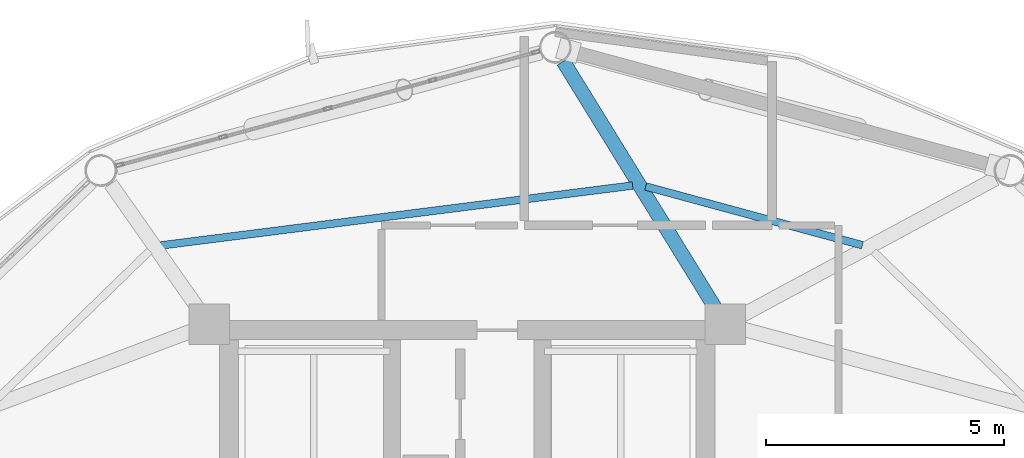
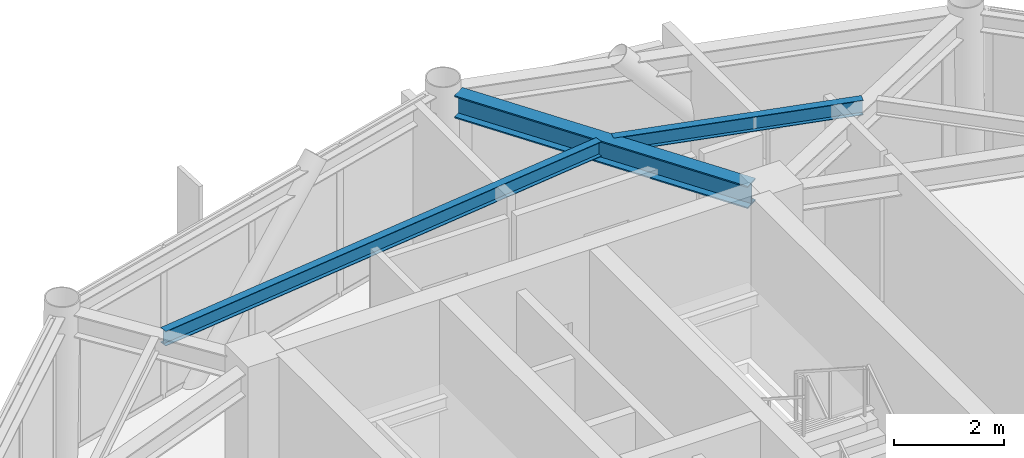
# One storey, part 19 of 28: 3 beams.
"""IFC4 building model written with IfcOpenShell, lengths in metres."""

from ifc_helpers import new_model, si_unit, direction, frame, origin, origin_2d, place, context, subcontext, project, spatial, i_section, extrude, material, material_profile, profile_set, type_object, element, save


model = new_model("IFC4")

# Units and contexts
model_context = context("Model", 3, precision=1e-05, world=origin(), true_north=direction((0.0, 1.0)))
body_context = subcontext(model_context, "Body", "Model", "MODEL_VIEW")
ifc_project = project(units=[si_unit("LENGTHUNIT", "METRE"), si_unit("AREAUNIT", "SQUARE_METRE"), si_unit("VOLUMEUNIT", "CUBIC_METRE"), si_unit("PLANEANGLEUNIT", "RADIAN"), si_unit("MASSUNIT", "GRAM", prefix="KILO")], contexts=[model_context])

# Site, building, storey
site_placement = place(None, origin())
site = spatial("IfcSite", under=ifc_project, at=site_placement, CompositionType="ELEMENT")
building_placement = place(site_placement, origin())
building = spatial("IfcBuilding", under=site, at=building_placement, Name="Varnakorn Sky Granary", CompositionType="ELEMENT")
storey_placement = place(building_placement, frame((0.0, 0.0, 207.60009765625)))
storey = spatial("IfcBuildingStorey", under=building, at=storey_placement, Name="L52", CompositionType="ELEMENT", Elevation=207.60009765625)

# Beams
ifc_material = material(Name="Steel S355JR", Category="steel")
ifc_material_profile_1 = material_profile(ifc_material, i_section(OverallWidth=0.300048828125, OverallDepth=0.5, WebThickness=0.014404296875, FlangeThickness=0.028076171875, at=origin_2d()), Name="HE 500 B")
ifc_profile_set_1 = profile_set([ifc_material_profile_1], Name="Steel S355JR")
beam_type_1 = type_object("IfcBeamType", Name="BM-RAD-Z4", PredefinedType="BEAM", material=ifc_profile_set_1)
beam_1_placement = place(storey_placement, frame((8.20751953125, 12.96484375, 3.10986328125), z_axis=(-0.524775778536, 0.851240496136, 0.0), x_axis=(-0.851240496136, -0.524775778536, 0.0)))
element("IfcBeam", 1, at=beam_1_placement, inside=storey, type_object=beam_type_1, Name="Radial Floor Girder RG04 L52", PredefinedType="BEAM", context=body_context, shape_type="SweptSolid", body=[
    extrude(i_section(OverallWidth=0.300048828125, OverallDepth=0.5, WebThickness=0.014404296875, FlangeThickness=0.028076171875, at=origin_2d()), origin(), (0.0, 0.0, 1.0), 6.082763671875),
])
ifc_material_profile_2 = material_profile(ifc_material, i_section(OverallWidth=0.159912109375, OverallDepth=0.330078125, WebThickness=0.007568359375, FlangeThickness=0.011474609375, at=origin_2d()), Name="IPE 330")
ifc_profile_set_2 = profile_set([ifc_material_profile_2], Name="Steel S355JR")
beam_type_2 = type_object("IfcBeamType", Name="BM-SEC-Z4", PredefinedType="BEAM", material=ifc_profile_set_2)
beam_2_placement = place(storey_placement, frame((11.299072265625, 14.28173828125, 3.19482421875), z_axis=(-0.965098655716, 0.261886587543, 0.0), x_axis=(-0.261886587543, -0.965098655716, 0.0)))
element("IfcBeam", 2, at=beam_2_placement, inside=storey, type_object=beam_type_2, Name="Secondary Floor Chord Beam MSB03 L52", PredefinedType="BEAM", context=body_context, shape_type="SweptSolid", body=[
    extrude(i_section(OverallWidth=0.159912109375, OverallDepth=0.330078125, WebThickness=0.007568359375, FlangeThickness=0.011474609375, at=origin_2d()), origin(), (0.0, 0.0, 1.0), 4.717041015625),
])
beam_3_placement = place(storey_placement, frame((6.472412109375, 15.5361328125, 3.19482421875), z_axis=(-0.992031400604, -0.125990873537, 0.0), x_axis=(0.125990873537, -0.992031400604, 0.0)))
element("IfcBeam", 3, at=beam_3_placement, inside=storey, type_object=beam_type_2, Name="Secondary Floor Chord Beam MSB04 L52", PredefinedType="BEAM", context=body_context, shape_type="SweptSolid", body=[
    extrude(i_section(OverallWidth=0.159912109375, OverallDepth=0.330078125, WebThickness=0.007568359375, FlangeThickness=0.011474609375, at=origin_2d()), origin(), (0.0, 0.0, 1.0), 9.9833984375),
])

save(model, "model.ifc")
